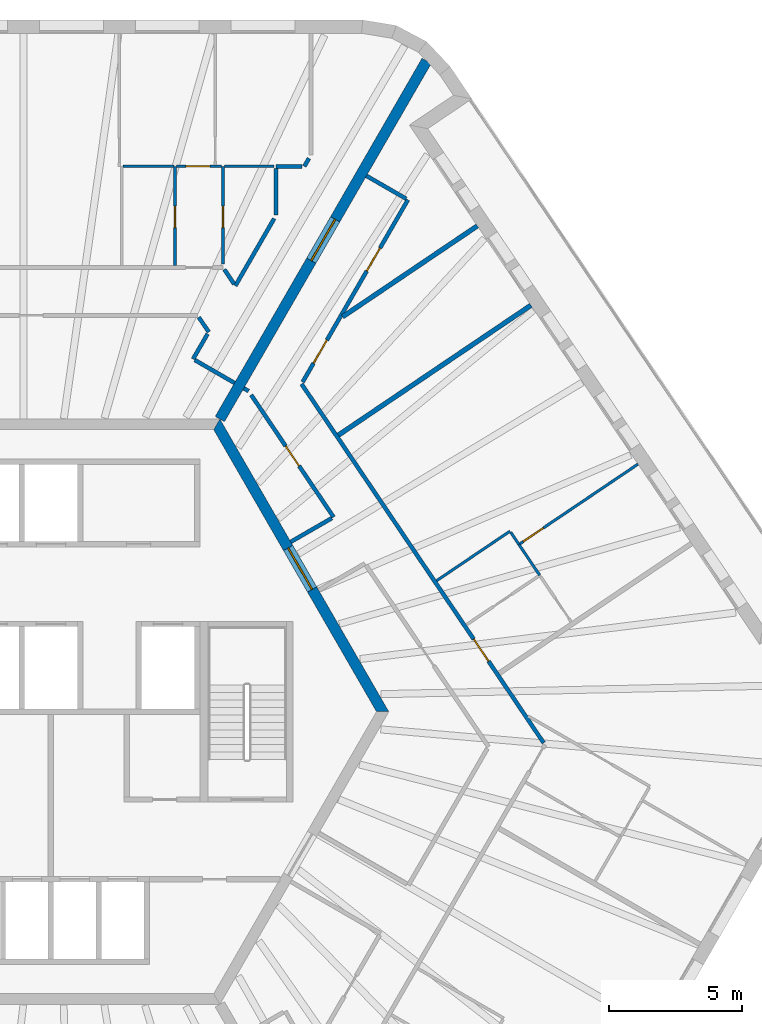
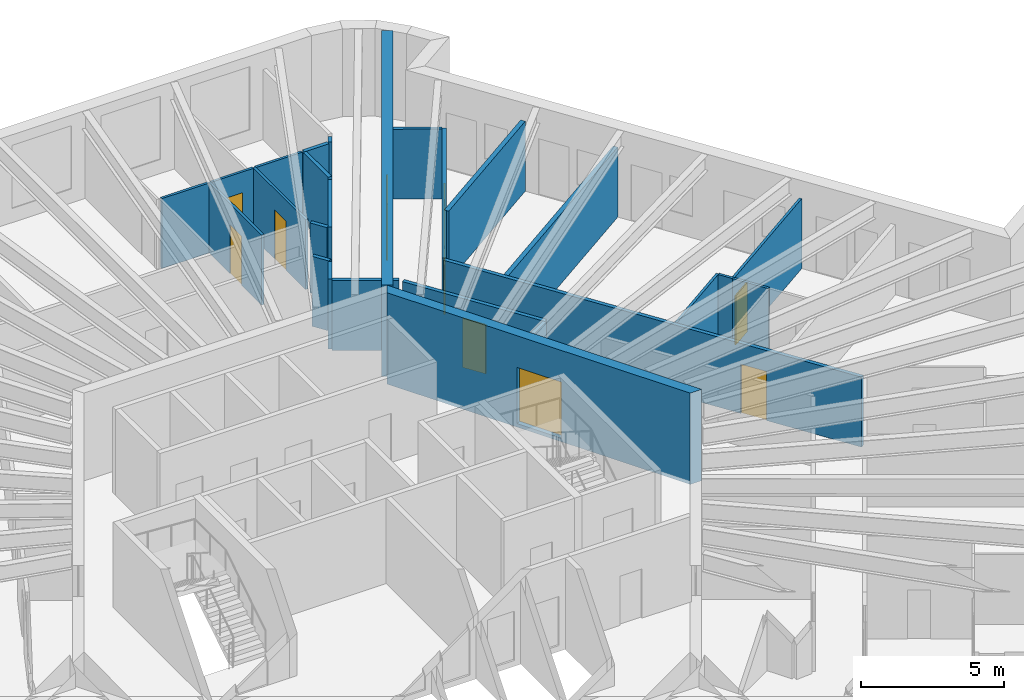
# One storey, part 10 of 12: 27 walls, 10 doors, 10 openings.
"""IFC4 building model written with IfcOpenShell, lengths in metres."""

from ifc_helpers import new_model, si_unit, direction, frame, frame_2d, origin, place, context, subcontext, project, spatial, polyline, rectangle, outline, extrude, material, layer, layer_set, type_object, element, fill, save


model = new_model("IFC4")

# Units and contexts
model_context = context("Model", 3, precision=1e-05, world=origin(), true_north=direction((0.0, 1.0)))
body_context = subcontext(model_context, "Body", "Model", "MODEL_VIEW")
ifc_project = project(units=[si_unit("LENGTHUNIT", "METRE"), si_unit("AREAUNIT", "SQUARE_METRE"), si_unit("VOLUMEUNIT", "CUBIC_METRE"), si_unit("PLANEANGLEUNIT", "RADIAN"), si_unit("MASSUNIT", "GRAM", prefix="KILO")], contexts=[model_context])

# Site, building, storey
site_placement = place(None, origin())
site = spatial("IfcSite", under=ifc_project, at=site_placement, CompositionType="ELEMENT")
building_placement = place(site_placement, origin())
building = spatial("IfcBuilding", under=site, at=building_placement, Name="Tarnside Tower", CompositionType="ELEMENT")
storey_placement = place(building_placement, frame((0.0, 0.0, 318.60009765625)))
storey = spatial("IfcBuildingStorey", under=building, at=storey_placement, Name="L77", CompositionType="ELEMENT", Elevation=318.60009765625)

# Wall, opening, door
ifc_material_1 = material(Name="Gypsum board partition on steel studs", Category="steel")
ifc_layer_1 = layer(ifc_material_1, 0.10009765625)
ifc_layer_set_1 = layer_set([ifc_layer_1], Name="Bathroom wall 100")
wall_type_1 = type_object("IfcWallType", Name="Bathroom wall 100", PredefinedType="PARTITIONING", material=ifc_layer_set_1)
wall_1_placement = place(storey_placement, frame((4.6669921875, 20.5, 0.0), z_axis=(0.0, 0.0, 1.0), x_axis=(0.0, -1.0, 0.0)))
wall_1 = element("IfcWall", 1, at=wall_1_placement, inside=storey, type_object=wall_type_1, Name="Bathroom wall 25089", PredefinedType="PARTITIONING", context=body_context, shape_type="SweptSolid", body=[
    extrude(rectangle(XDim=3.72509765625, YDim=0.10009765625, at=frame_2d((1.862548828125, 0.0))), origin(), (0.0, 0.0, 1.0), 2.98779296875),
])
opening_1_placement = place(wall_1_placement, frame((1.5, 0.0, 0.0)))
opening_1 = element("IfcOpeningElement", 2, at=opening_1_placement, cuts=wall_1, Name="Opening D-B1", PredefinedType="OPENING", context=body_context, shape_type="SweptSolid", body=[
    extrude(rectangle(XDim=0.800048828125, YDim=2.10009765625, at=frame_2d((0.39990234375, 1.050048828125))), frame((0.0, 0.06005859375, 0.0), z_axis=(0.0, -1.0, 0.0), x_axis=(1.0, 0.0, 0.0)), (0.0, 0.0, 1.0), 0.1201171875),
])
ifc_material_2 = material(Name="Timber door leaf", Category="wood")
door_type_1 = type_object("IfcDoorType", Name="Bathroom door 800", OperationType="NOTDEFINED", PredefinedType="DOOR", material=ifc_material_2)
door_1_placement = place(opening_1_placement, origin())
door_1 = element("IfcDoor", 3, at=door_1_placement, inside=storey, type_object=door_type_1, Name="Bathroom door 25002", OperationType="SINGLE_SWING_LEFT", OverallHeight=2.10009765625, OverallWidth=0.800048828125, PredefinedType="DOOR", context=body_context, shape_type="SweptSolid", body=[
    extrude(rectangle(XDim=0.800048828125, YDim=2.10009765625, at=frame_2d((0.39990234375, 1.050048828125))), frame((0.0, 0.02490234375, 0.0), z_axis=(0.0, -1.0, 0.0), x_axis=(1.0, 0.0, 0.0)), (0.0, 0.0, 1.0), 0.050048828125),
])
fill(opening_1, door_1)

wall_2_placement = place(storey_placement, frame((6.467041015625, 16.834228515625, 0.0), z_axis=(0.0, 0.0, 1.0), x_axis=(0.0, 1.0, 0.0)))
wall_2 = element("IfcWall", 4, at=wall_2_placement, inside=storey, type_object=wall_type_1, Name="Bathroom wall 25092", PredefinedType="PARTITIONING", context=body_context, shape_type="SweptSolid", body=[
    extrude(rectangle(XDim=3.665771484375, YDim=0.10009765625, at=frame_2d((1.8330078125, 0.0))), origin(), (0.0, 0.0, 1.0), 2.98779296875),
])
opening_2_placement = place(wall_2_placement, frame((1.365966796875, 0.0, 0.0)))
opening_2 = element("IfcOpeningElement", 5, at=opening_2_placement, cuts=wall_2, Name="Opening D-B1", PredefinedType="OPENING", context=body_context, shape_type="SweptSolid", body=[
    extrude(rectangle(XDim=0.800048828125, YDim=2.10009765625, at=frame_2d((0.39990234375, 1.050048828125))), frame((0.0, 0.06005859375, 0.0), z_axis=(0.0, -1.0, 0.0), x_axis=(1.0, 0.0, 0.0)), (0.0, 0.0, 1.0), 0.1201171875),
])
door_2_placement = place(opening_2_placement, origin())
door_2 = element("IfcDoor", 6, at=door_2_placement, inside=storey, type_object=door_type_1, Name="Bathroom door 25011", OperationType="SINGLE_SWING_RIGHT", OverallHeight=2.10009765625, OverallWidth=0.800048828125, PredefinedType="DOOR", context=body_context, shape_type="SweptSolid", body=[
    extrude(rectangle(XDim=0.800048828125, YDim=2.10009765625, at=frame_2d((0.39990234375, 1.050048828125))), frame((0.0, 0.02490234375, 0.0), z_axis=(0.0, -1.0, 0.0), x_axis=(1.0, 0.0, 0.0)), (0.0, 0.0, 1.0), 0.050048828125),
])
fill(opening_2, door_2)

# Walls
wall_3_placement = place(storey_placement, frame((4.619140625, 20.5, 0.0), z_axis=(0.0, 0.0, 1.0), x_axis=(-1.0, 0.0, 0.0)))
element("IfcWall", 7, at=wall_3_placement, inside=storey, type_object=wall_type_1, Name="Bathroom wall 25093", PredefinedType="PARTITIONING", context=body_context, shape_type="SweptSolid", body=[
    extrude(rectangle(XDim=1.904052734375, YDim=0.10009765625, at=frame_2d((0.9521484375, 0.0))), origin(), (0.0, 0.0, 1.0), 2.98779296875),
])
wall_4_placement = place(storey_placement, frame((6.51708984375, 20.5, 0.0), z_axis=(0.0, 0.0, 1.0), x_axis=(1.0, 0.0, 0.0)))
element("IfcWall", 8, at=wall_4_placement, inside=storey, type_object=wall_type_1, Name="Bathroom wall 25095", PredefinedType="PARTITIONING", context=body_context, shape_type="SweptSolid", body=[
    extrude(rectangle(XDim=1.875, YDim=0.10009765625, at=frame_2d((0.9375, 0.0))), origin(), (0.0, 0.0, 1.0), 2.98779296875),
])
wall_5_placement = place(storey_placement, frame((14.49951171875, 4.925537109375, 0.0), z_axis=(0.0, 0.0, 1.0), x_axis=(0.829067379225, 0.559148710725, 0.0)))
element("IfcWall", 9, at=wall_5_placement, inside=storey, type_object=wall_type_1, Name="Bathroom wall 25166", PredefinedType="PARTITIONING", context=body_context, shape_type="SweptSolid", body=[
    extrude(rectangle(XDim=3.324951171875, YDim=0.10009765625, at=frame_2d((1.66259765625, 0.0))), origin(), (0.0, 0.0, 1.0), 2.98779296875),
])
wall_6_placement = place(storey_placement, frame((17.2841796875, 6.743408203125, 0.0), z_axis=(0.0, 0.0, 1.0), x_axis=(0.55897906803, -0.829181766263, 0.0)))
element("IfcWall", 10, at=wall_6_placement, inside=storey, type_object=wall_type_1, Name="Bathroom wall 25167", PredefinedType="PARTITIONING", context=body_context, shape_type="SweptSolid", body=[
    extrude(rectangle(XDim=0.552001953125, YDim=0.10009765625, at=frame_2d((0.27587890625, 0.0))), origin(), (0.0, 0.0, 1.0), 2.98779296875),
])
wall_7_placement = place(storey_placement, frame((18.375732421875, 5.125, 0.0), z_axis=(0.0, 0.0, 1.0), x_axis=(-0.559152802616, 0.829064619512, 0.0)))
element("IfcWall", 11, at=wall_7_placement, inside=storey, type_object=wall_type_1, Name="Bathroom wall 25172", PredefinedType="PARTITIONING", context=body_context, shape_type="SweptSolid", body=[
    extrude(rectangle(XDim=1.402099609375, YDim=0.10009765625, at=frame_2d((0.701171875, 0.0))), origin(), (0.0, 0.0, 1.0), 2.98779296875),
])

# Wall, opening, door
ifc_material_3 = material(Name="Concrete C60/75", Category="concrete")
ifc_layer_2 = layer(ifc_material_3, 0.39990234375)
ifc_layer_set_2 = layer_set([ifc_layer_2], Name="Core wall Z3 400 C60/75")
wall_type_2 = type_object("IfcWallType", Name="Core wall Z3 400 C60/75", PredefinedType="SHEAR", material=ifc_layer_set_2)
wall_8_placement = place(storey_placement, frame((12.470703125, 0.0, -0.150146484375), z_axis=(0.0, 0.0, 1.0), x_axis=(-0.499996419489, 0.866027470984, 0.0)))
wall_8 = element("IfcWall", 12, at=wall_8_placement, inside=storey, type_object=wall_type_2, Name="L77 core wall face 6", PredefinedType="SHEAR", context=body_context, shape_type="SweptSolid", body=[
    extrude(outline(polyline([(-0.115478515625, -0.199951171875), (12.586181640625, -0.199951171875), (12.355224609375, 0.199951171875), (0.115478515625, 0.199951171875), (-0.115478515625, -0.199951171875)])), origin(), (0.0, 0.0, 1.0), 3.900146484375),
])
opening_3_placement = place(wall_8_placement, frame((5.306396484375, 0.0, 0.14990234375)))
opening_3 = element("IfcOpeningElement", 13, at=opening_3_placement, cuts=wall_8, Name="Opening CD-LOB", PredefinedType="OPENING", context=body_context, shape_type="SweptSolid", body=[
    extrude(rectangle(XDim=1.800048828125, YDim=2.39990234375, at=frame_2d((0.89990234375, 1.199951171875))), frame((0.0, 0.2099609375, 0.0), z_axis=(0.0, -1.0, 0.0), x_axis=(1.0, 0.0, 0.0)), (0.0, 0.0, 1.0), 0.419921875),
])
ifc_material_4 = material(Name="Steel fire door", Category="steel")
door_type_2 = type_object("IfcDoorType", Name="Lobby double door FD30S 1800x2400", OperationType="NOTDEFINED", PredefinedType="DOOR", material=ifc_material_4)
door_3_placement = place(opening_3_placement, origin())
door_3 = element("IfcDoor", 14, at=door_3_placement, inside=storey, type_object=door_type_2, Name="L77 core door P2", OperationType="DOUBLE_DOOR_SINGLE_SWING", OverallHeight=2.39990234375, OverallWidth=1.800048828125, PredefinedType="DOOR", context=body_context, shape_type="SweptSolid", body=[
    extrude(rectangle(XDim=1.800048828125, YDim=2.39990234375, at=frame_2d((0.89990234375, 1.199951171875))), frame((0.0, 0.02490234375, 0.0), z_axis=(0.0, -1.0, 0.0), x_axis=(1.0, 0.0, 0.0)), (0.0, 0.0, 1.0), 0.050048828125),
])
fill(opening_3, door_3)

wall_9_placement = place(storey_placement, frame((6.350830078125, 11.0, -0.150146484375), z_axis=(0.0, 0.0, 1.0), x_axis=(0.499998894578, 0.866026041999, 0.0)))
wall_9 = element("IfcWall", 15, at=wall_9_placement, inside=storey, type_object=wall_type_2, Name="L77 spine wall 1", PredefinedType="SHEAR", context=body_context, shape_type="SweptSolid", body=[
    extrude(rectangle(XDim=15.54443359375, YDim=0.39990234375, at=frame_2d((7.772216796875, 0.0))), origin(), (0.0, 0.0, 1.0), 3.900146484375),
])
opening_4_placement = place(wall_9_placement, frame((6.872314453125, 0.0, 0.14990234375)))
opening_4 = element("IfcOpeningElement", 16, at=opening_4_placement, cuts=wall_9, Name="Opening CD-SPN", PredefinedType="OPENING", context=body_context, shape_type="SweptSolid", body=[
    extrude(rectangle(XDim=1.800048828125, YDim=2.39990234375, at=frame_2d((0.89990234375, 1.199951171875))), frame((0.0, 0.2099609375, 0.0), z_axis=(0.0, -1.0, 0.0), x_axis=(1.0, 0.0, 0.0)), (0.0, 0.0, 1.0), 0.419921875),
])
door_type_3 = type_object("IfcDoorType", Name="Spine passage double door FD60 1800x2400", OperationType="NOTDEFINED", PredefinedType="DOOR", material=ifc_material_4)
door_4_placement = place(opening_4_placement, origin())
door_4 = element("IfcDoor", 17, at=door_4_placement, inside=storey, type_object=door_type_3, Name="L77 spine passage door 1", OperationType="DOUBLE_DOOR_SINGLE_SWING", OverallHeight=2.39990234375, OverallWidth=1.800048828125, PredefinedType="DOOR", context=body_context, shape_type="SweptSolid", body=[
    extrude(rectangle(XDim=1.800048828125, YDim=2.39990234375, at=frame_2d((0.89990234375, 1.199951171875))), frame((0.0, 0.02490234375, 0.0), z_axis=(0.0, -1.0, 0.0), x_axis=(1.0, 0.0, 0.0)), (0.0, 0.0, 1.0), 0.050048828125),
])
fill(opening_4, door_4)

# Walls
ifc_layer_3 = layer(ifc_material_1, 0.14990234375)
ifc_layer_set_3 = layer_set([ifc_layer_3], Name="Corridor wall 150 EI 60")
wall_type_3 = type_object("IfcWallType", Name="Corridor wall 150 EI 60", PredefinedType="PARTITIONING", material=ifc_layer_set_3)
wall_10_placement = place(storey_placement, frame((9.7001953125, 20.80126953125, 0.0), z_axis=(0.0, 0.0, 1.0), x_axis=(-0.499762962979, -0.866162213927, 0.0)))
element("IfcWall", 18, at=wall_10_placement, inside=storey, type_object=wall_type_3, Name="Corridor wall 25005", PredefinedType="PARTITIONING", context=body_context, shape_type="SweptSolid", body=[
    extrude(rectangle(XDim=0.347900390625, YDim=0.14990234375, at=frame_2d((0.173828125, 0.0))), origin(), (0.0, 0.0, 1.0), 2.98779296875),
])
wall_11_placement = place(storey_placement, frame((9.439697265625, 20.5, 0.0), z_axis=(0.0, 0.0, 1.0), x_axis=(-1.0, 0.0, 0.0)))
element("IfcWall", 19, at=wall_11_placement, inside=storey, type_object=wall_type_3, Name="Corridor wall 25006", PredefinedType="PARTITIONING", context=body_context, shape_type="SweptSolid", body=[
    extrude(rectangle(XDim=0.976318359375, YDim=0.14990234375, at=frame_2d((0.48828125, 0.0))), origin(), (0.0, 0.0, 1.0), 2.98779296875),
])
wall_12_placement = place(storey_placement, frame((8.467041015625, 20.425048828125, 0.0), z_axis=(0.0, 0.0, 1.0), x_axis=(0.0, -1.0, 0.0)))
element("IfcWall", 20, at=wall_12_placement, inside=storey, type_object=wall_type_3, Name="Corridor wall 25007", PredefinedType="PARTITIONING", context=body_context, shape_type="SweptSolid", body=[
    extrude(rectangle(XDim=1.759521484375, YDim=0.14990234375, at=frame_2d((0.8798828125, 0.0))), origin(), (0.0, 0.0, 1.0), 2.98779296875),
])
wall_13_placement = place(storey_placement, frame((8.39208984375, 18.53564453125, 0.0), z_axis=(0.0, 0.0, 1.0), x_axis=(-0.49996389635, -0.866046247233, 0.0)))
element("IfcWall", 21, at=wall_13_placement, inside=storey, type_object=wall_type_3, Name="Corridor wall 25008", PredefinedType="PARTITIONING", context=body_context, shape_type="SweptSolid", body=[
    extrude(rectangle(XDim=2.917724609375, YDim=0.14990234375, at=frame_2d((1.458984375, 0.0))), origin(), (0.0, 0.0, 1.0), 2.98779296875),
])
wall_14_placement = place(storey_placement, frame((6.88671875, 16.078125, 0.0), z_axis=(0.0, 0.0, 1.0), x_axis=(-0.559472855001, 0.828848674076, 0.0)))
element("IfcWall", 22, at=wall_14_placement, inside=storey, type_object=wall_type_3, Name="Corridor wall 25009", PredefinedType="PARTITIONING", context=body_context, shape_type="SweptSolid", body=[
    extrude(rectangle(XDim=0.659912109375, YDim=0.14990234375, at=frame_2d((0.330078125, 0.0))), origin(), (0.0, 0.0, 1.0), 2.98779296875),
])
wall_15_placement = place(storey_placement, frame((5.560546875, 14.824951171875, 0.0), z_axis=(0.0, 0.0, 1.0), x_axis=(0.559188682258, -0.829040419784, 0.0)))
element("IfcWall", 23, at=wall_15_placement, inside=storey, type_object=wall_type_3, Name="Corridor wall 25022", PredefinedType="PARTITIONING", context=body_context, shape_type="SweptSolid", body=[
    extrude(rectangle(XDim=0.6640625, YDim=0.14990234375, at=frame_2d((0.33203125, 0.0))), origin(), (0.0, 0.0, 1.0), 2.98779296875),
])
wall_16_placement = place(storey_placement, frame((5.89013671875, 14.2021484375, 0.0), z_axis=(0.0, 0.0, 1.0), x_axis=(-0.499986987217, -0.866032916588, 0.0)))
element("IfcWall", 24, at=wall_16_placement, inside=storey, type_object=wall_type_3, Name="Corridor wall 25023", PredefinedType="PARTITIONING", context=body_context, shape_type="SweptSolid", body=[
    extrude(rectangle(XDim=1.091796875, YDim=0.14990234375, at=frame_2d((0.5458984375, 0.0))), origin(), (0.0, 0.0, 1.0), 2.98779296875),
])
wall_17_placement = place(storey_placement, frame((5.4091796875, 13.218994140625, 0.0), z_axis=(0.0, 0.0, 1.0), x_axis=(0.866013532718, -0.500020560727, 0.0)))
element("IfcWall", 25, at=wall_17_placement, inside=storey, type_object=wall_type_3, Name="Corridor wall 25024", PredefinedType="PARTITIONING", context=body_context, shape_type="SweptSolid", body=[
    extrude(rectangle(XDim=1.72509765625, YDim=0.14990234375, at=frame_2d((0.862548828125, 0.0))), origin(), (0.0, 0.0, 1.0), 2.98779296875),
])

# Wall, opening, door
wall_18_placement = place(storey_placement, frame((18.52099609375, -1.170654296875, 0.0), z_axis=(0.0, 0.0, 1.0), x_axis=(-0.559193232449, 0.829037350656, 0.0)))
wall_18 = element("IfcWall", 26, at=wall_18_placement, inside=storey, type_object=wall_type_3, Name="Corridor wall 25062", PredefinedType="PARTITIONING", context=body_context, shape_type="SweptSolid", body=[
    extrude(rectangle(XDim=16.27197265625, YDim=0.14990234375, at=frame_2d((8.135986328125, 0.0))), origin(), (0.0, 0.0, 1.0), 2.98779296875),
])
opening_5_placement = place(wall_18_placement, frame((3.70263671875, 0.0, 0.0)))
opening_5 = element("IfcOpeningElement", 27, at=opening_5_placement, cuts=wall_18, Name="Opening D-E1", PredefinedType="OPENING", context=body_context, shape_type="SweptSolid", body=[
    extrude(rectangle(XDim=1.0, YDim=2.10009765625, at=frame_2d((0.5, 1.050048828125))), frame((0.0, 0.0849609375, 0.0), z_axis=(0.0, -1.0, 0.0), x_axis=(1.0, 0.0, 0.0)), (0.0, 0.0, 1.0), 0.169921875),
])
door_type_4 = type_object("IfcDoorType", Name="Unit entrance door 1000 FD30S", OperationType="NOTDEFINED", PredefinedType="DOOR", material=ifc_material_2)
door_5_placement = place(opening_5_placement, origin())
door_5 = element("IfcDoor", 28, at=door_5_placement, inside=storey, type_object=door_type_4, Name="Unit door 25061", OperationType="SINGLE_SWING_RIGHT", OverallHeight=2.10009765625, OverallWidth=1.0, PredefinedType="DOOR", context=body_context, shape_type="SweptSolid", body=[
    extrude(rectangle(XDim=1.0, YDim=2.10009765625, at=frame_2d((0.5, 1.050048828125))), frame((0.0, 0.02490234375, 0.0), z_axis=(0.0, -1.0, 0.0), x_axis=(1.0, 0.0, 0.0)), (0.0, 0.0, 1.0), 0.050048828125),
])
fill(opening_5, door_5)

# Wall, openings, doors
wall_19_placement = place(storey_placement, frame((9.463623046875, 12.3916015625, 0.0), z_axis=(0.0, 0.0, 1.0), x_axis=(0.499999400414, 0.866025749955, 0.0)))
wall_19 = element("IfcWall", 29, at=wall_19_placement, inside=storey, type_object=wall_type_3, Name="Corridor wall 25070", PredefinedType="PARTITIONING", context=body_context, shape_type="SweptSolid", body=[
    extrude(rectangle(XDim=7.91064453125, YDim=0.14990234375, at=frame_2d((3.955322265625, 0.0))), origin(), (0.0, 0.0, 1.0), 2.98779296875),
])
opening_6_placement = place(wall_19_placement, frame((0.8203125, 0.0, 0.0)))
opening_6 = element("IfcOpeningElement", 30, at=opening_6_placement, cuts=wall_19, Name="Opening D-E1", PredefinedType="OPENING", context=body_context, shape_type="SweptSolid", body=[
    extrude(rectangle(XDim=1.0, YDim=2.10009765625, at=frame_2d((0.5, 1.050048828125))), frame((0.0, 0.0849609375, 0.0), z_axis=(0.0, -1.0, 0.0), x_axis=(1.0, 0.0, 0.0)), (0.0, 0.0, 1.0), 0.169921875),
])
opening_7_placement = place(wall_19_placement, frame((4.8173828125, 0.0, 0.0)))
opening_7 = element("IfcOpeningElement", 31, at=opening_7_placement, cuts=wall_19, Name="Opening D-E1", PredefinedType="OPENING", context=body_context, shape_type="SweptSolid", body=[
    extrude(rectangle(XDim=1.0, YDim=2.10009765625, at=frame_2d((0.5, 1.050048828125))), frame((0.0, 0.0849609375, 0.0), z_axis=(0.0, -1.0, 0.0), x_axis=(1.0, 0.0, 0.0)), (0.0, 0.0, 1.0), 0.169921875),
])
door_6_placement = place(opening_6_placement, origin())
door_6 = element("IfcDoor", 32, at=door_6_placement, inside=storey, type_object=door_type_4, Name="Unit door 25067", OperationType="SINGLE_SWING_RIGHT", OverallHeight=2.10009765625, OverallWidth=1.0, PredefinedType="DOOR", context=body_context, shape_type="SweptSolid", body=[
    extrude(rectangle(XDim=1.0, YDim=2.10009765625, at=frame_2d((0.5, 1.050048828125))), frame((0.0, 0.02490234375, 0.0), z_axis=(0.0, -1.0, 0.0), x_axis=(1.0, 0.0, 0.0)), (0.0, 0.0, 1.0), 0.050048828125),
])
fill(opening_6, door_6)
door_7_placement = place(opening_7_placement, origin())
door_7 = element("IfcDoor", 33, at=door_7_placement, inside=storey, type_object=door_type_4, Name="Unit door 25068", OperationType="SINGLE_SWING_LEFT", OverallHeight=2.10009765625, OverallWidth=1.0, PredefinedType="DOOR", context=body_context, shape_type="SweptSolid", body=[
    extrude(rectangle(XDim=1.0, YDim=2.10009765625, at=frame_2d((0.5, 1.050048828125))), frame((0.0, 0.02490234375, 0.0), z_axis=(0.0, -1.0, 0.0), x_axis=(1.0, 0.0, 0.0)), (0.0, 0.0, 1.0), 0.050048828125),
])
fill(opening_7, door_7)

# Walls
wall_20_placement = place(storey_placement, frame((13.35400390625, 19.280029296875, 0.0), z_axis=(0.0, 0.0, 1.0), x_axis=(-0.866074815912, 0.499914405916, 0.0)))
element("IfcWall", 34, at=wall_20_placement, inside=storey, type_object=wall_type_3, Name="Corridor wall 25072", PredefinedType="PARTITIONING", context=body_context, shape_type="SweptSolid", body=[
    extrude(rectangle(XDim=1.724853515625, YDim=0.14990234375, at=frame_2d((0.8623046875, 0.0))), origin(), (0.0, 0.0, 1.0), 2.98779296875),
])
wall_21_placement = place(storey_placement, frame((7.24951171875, 12.156494140625, 0.0), z_axis=(0.0, 0.0, 1.0), x_axis=(0.866088799389, -0.499890179513, 0.0)))
element("IfcWall", 35, at=wall_21_placement, inside=storey, type_object=wall_type_3, Name="Corridor wall 25082", PredefinedType="PARTITIONING", context=body_context, shape_type="SweptSolid", body=[
    extrude(rectangle(XDim=0.2099609375, YDim=0.14990234375, at=frame_2d((0.10498046875, 0.0))), origin(), (0.0, 0.0, 1.0), 2.98779296875),
])

# Wall, opening, door
wall_22_placement = place(storey_placement, frame((7.527099609375, 11.90966796875, 0.0), z_axis=(0.0, 0.0, 1.0), x_axis=(0.5592050336, -0.82902939055, 0.0)))
wall_22 = element("IfcWall", 36, at=wall_22_placement, inside=storey, type_object=wall_type_3, Name="Corridor wall 25083", PredefinedType="PARTITIONING", context=body_context, shape_type="SweptSolid", body=[
    extrude(rectangle(XDim=5.54296875, YDim=0.14990234375, at=frame_2d((2.771484375, 0.0))), origin(), (0.0, 0.0, 1.0), 2.98779296875),
])
opening_8_placement = place(wall_22_placement, frame((2.321533203125, 0.0, 0.0)))
opening_8 = element("IfcOpeningElement", 37, at=opening_8_placement, cuts=wall_22, Name="Opening D-S1", PredefinedType="OPENING", context=body_context, shape_type="SweptSolid", body=[
    extrude(rectangle(XDim=0.89990234375, YDim=2.10009765625, at=frame_2d((0.449951171875, 1.050048828125))), frame((0.0, 0.0849609375, 0.0), z_axis=(0.0, -1.0, 0.0), x_axis=(1.0, 0.0, 0.0)), (0.0, 0.0, 1.0), 0.169921875),
])
door_type_5 = type_object("IfcDoorType", Name="Service room door 900 FD30S", OperationType="NOTDEFINED", PredefinedType="DOOR", material=ifc_material_2)
door_8_placement = place(opening_8_placement, origin())
door_8 = element("IfcDoor", 38, at=door_8_placement, inside=storey, type_object=door_type_5, Name="Service door 25077", OperationType="SINGLE_SWING_RIGHT", OverallHeight=2.10009765625, OverallWidth=0.89990234375, PredefinedType="DOOR", context=body_context, shape_type="SweptSolid", body=[
    extrude(rectangle(XDim=0.89990234375, YDim=2.10009765625, at=frame_2d((0.449951171875, 1.050048828125))), frame((0.0, 0.02490234375, 0.0), z_axis=(0.0, -1.0, 0.0), x_axis=(1.0, 0.0, 0.0)), (0.0, 0.0, 1.0), 0.050048828125),
])
fill(opening_8, door_8)

# Walls
wall_23_placement = place(storey_placement, frame((10.5615234375, 7.27685546875, 0.0), z_axis=(0.0, 0.0, 1.0), x_axis=(-0.86601248742, -0.500022371132, 0.0)))
element("IfcWall", 39, at=wall_23_placement, inside=storey, type_object=wall_type_3, Name="Corridor wall 25084", PredefinedType="PARTITIONING", context=body_context, shape_type="SweptSolid", body=[
    extrude(rectangle(XDim=1.78515625, YDim=0.14990234375, at=frame_2d((0.892578125, 0.0))), origin(), (0.0, 0.0, 1.0), 2.98779296875),
])
ifc_layer_4 = layer(ifc_material_1, 0.179931640625)
ifc_layer_set_4 = layer_set([ifc_layer_4], Name="Demising wall 180 EI 60")
wall_type_4 = type_object("IfcWallType", Name="Demising wall 180 EI 60", PredefinedType="PARTITIONING", material=ifc_layer_set_4)
wall_24_placement = place(storey_placement, frame((18.042236328125, 15.276123046875, 0.0), z_axis=(0.0, 0.0, 1.0), x_axis=(-0.829028989438, -0.559205628254, 0.0)))
element("IfcWall", 40, at=wall_24_placement, inside=storey, type_object=wall_type_4, Name="Demising wall 25169", PredefinedType="PARTITIONING", context=body_context, shape_type="SweptSolid", body=[
    extrude(rectangle(XDim=8.72509765625, YDim=0.179931640625, at=frame_2d((4.362548828125, 0.0))), origin(), (0.0, 0.0, 1.0), 2.98779296875),
])
wall_25_placement = place(storey_placement, frame((16.029296875, 18.260498046875, 0.0), z_axis=(0.0, 0.0, 1.0), x_axis=(-0.829048418375, -0.559176823545, 0.0)))
element("IfcWall", 41, at=wall_25_placement, inside=storey, type_object=wall_type_4, Name="Demising wall 25173", PredefinedType="PARTITIONING", context=body_context, shape_type="SweptSolid", body=[
    extrude(rectangle(XDim=6.10546875, YDim=0.179931640625, at=frame_2d((3.052734375, 0.0))), origin(), (0.0, 0.0, 1.0), 2.98779296875),
])

# Wall, opening, door
ifc_layer_5 = layer(ifc_material_1, 0.10009765625)
ifc_layer_set_5 = layer_set([ifc_layer_5], Name="Partition 100")
wall_type_5 = type_object("IfcWallType", Name="Partition 100", PredefinedType="PARTITIONING", material=ifc_layer_set_5)
wall_26_placement = place(storey_placement, frame((6.419189453125, 20.5, 0.0), z_axis=(0.0, 0.0, 1.0), x_axis=(-1.0, 0.0, 0.0)))
wall_26 = element("IfcWall", 42, at=wall_26_placement, inside=storey, type_object=wall_type_5, Name="Partition wall 25090", PredefinedType="PARTITIONING", context=body_context, shape_type="SweptSolid", body=[
    extrude(rectangle(XDim=1.7041015625, YDim=0.10009765625, at=frame_2d((0.85205078125, 0.0))), origin(), (0.0, 0.0, 1.0), 2.98779296875),
])
opening_9_placement = place(wall_26_placement, frame((0.44384765625, 0.0, 0.0)))
opening_9 = element("IfcOpeningElement", 43, at=opening_9_placement, cuts=wall_26, Name="Opening D-I1", PredefinedType="OPENING", context=body_context, shape_type="SweptSolid", body=[
    extrude(rectangle(XDim=0.89990234375, YDim=2.10009765625, at=frame_2d((0.449951171875, 1.050048828125))), frame((0.0, 0.06005859375, 0.0), z_axis=(0.0, -1.0, 0.0), x_axis=(1.0, 0.0, 0.0)), (0.0, 0.0, 1.0), 0.1201171875),
])
door_type_6 = type_object("IfcDoorType", Name="Internal door 900", OperationType="NOTDEFINED", PredefinedType="DOOR", material=ifc_material_2)
door_9_placement = place(opening_9_placement, origin())
door_9 = element("IfcDoor", 44, at=door_9_placement, inside=storey, type_object=door_type_6, Name="Internal door 25005", OperationType="SINGLE_SWING_RIGHT", OverallHeight=2.10009765625, OverallWidth=0.89990234375, PredefinedType="DOOR", context=body_context, shape_type="SweptSolid", body=[
    extrude(rectangle(XDim=0.89990234375, YDim=2.10009765625, at=frame_2d((0.449951171875, 1.050048828125))), frame((0.0, 0.02490234375, 0.0), z_axis=(0.0, -1.0, 0.0), x_axis=(1.0, 0.0, 0.0)), (0.0, 0.0, 1.0), 0.050048828125),
])
fill(opening_9, door_9)

wall_27_placement = place(storey_placement, frame((17.633056640625, 6.315185546875, 0.0), z_axis=(0.0, 0.0, 1.0), x_axis=(0.82904753069, 0.559178139645, 0.0)))
wall_27 = element("IfcWall", 45, at=wall_27_placement, inside=storey, type_object=wall_type_5, Name="Partition wall 25168", PredefinedType="PARTITIONING", context=body_context, shape_type="SweptSolid", body=[
    extrude(rectangle(XDim=5.35009765625, YDim=0.10009765625, at=frame_2d((2.675048828125, 0.0))), origin(), (0.0, 0.0, 1.0), 2.98779296875),
])
opening_10_placement = place(wall_27_placement, frame((0.14990234375, 0.0, 0.0)))
opening_10 = element("IfcOpeningElement", 46, at=opening_10_placement, cuts=wall_27, Name="Opening D-I1", PredefinedType="OPENING", context=body_context, shape_type="SweptSolid", body=[
    extrude(rectangle(XDim=0.89990234375, YDim=2.10009765625, at=frame_2d((0.449951171875, 1.050048828125))), frame((0.0, 0.06005859375, 0.0), z_axis=(0.0, -1.0, 0.0), x_axis=(1.0, 0.0, 0.0)), (0.0, 0.0, 1.0), 0.1201171875),
])
door_10_placement = place(opening_10_placement, origin())
door_10 = element("IfcDoor", 47, at=door_10_placement, inside=storey, type_object=door_type_6, Name="Internal door 25066", OperationType="SINGLE_SWING_RIGHT", OverallHeight=2.10009765625, OverallWidth=0.89990234375, PredefinedType="DOOR", context=body_context, shape_type="SweptSolid", body=[
    extrude(rectangle(XDim=0.89990234375, YDim=2.10009765625, at=frame_2d((0.449951171875, 1.050048828125))), frame((0.0, 0.02490234375, 0.0), z_axis=(0.0, -1.0, 0.0), x_axis=(1.0, 0.0, 0.0)), (0.0, 0.0, 1.0), 0.050048828125),
])
fill(opening_10, door_10)

save(model, "model.ifc")
